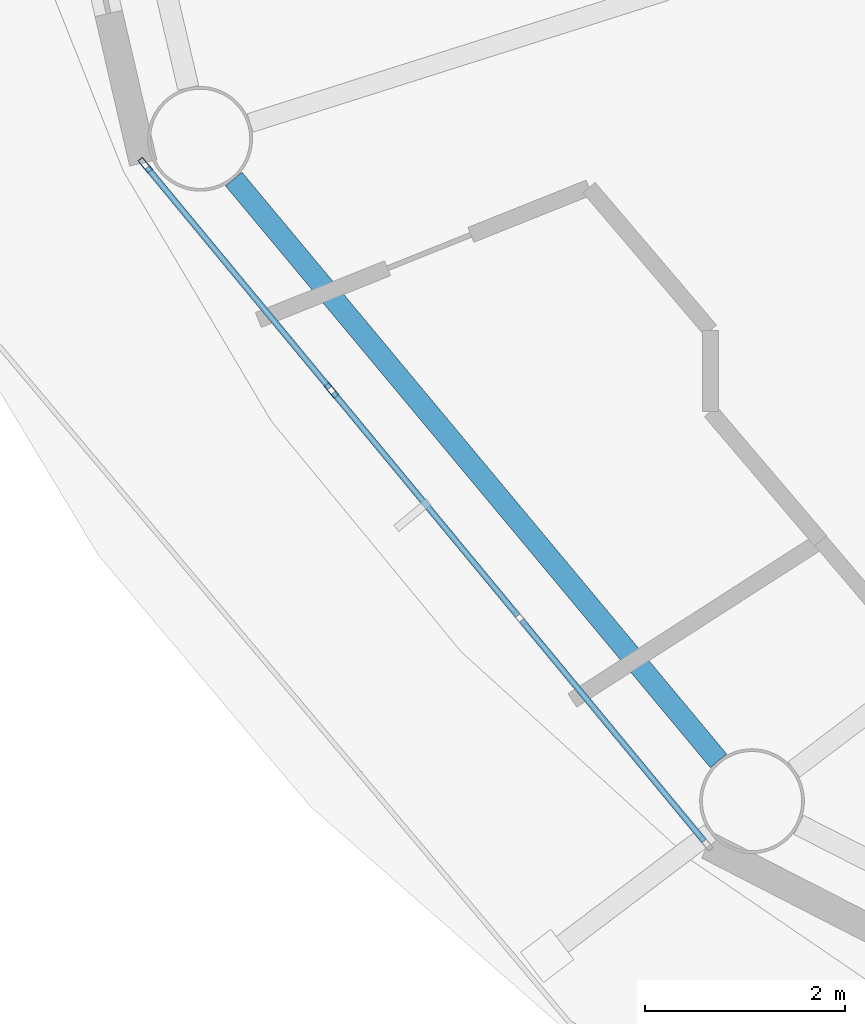
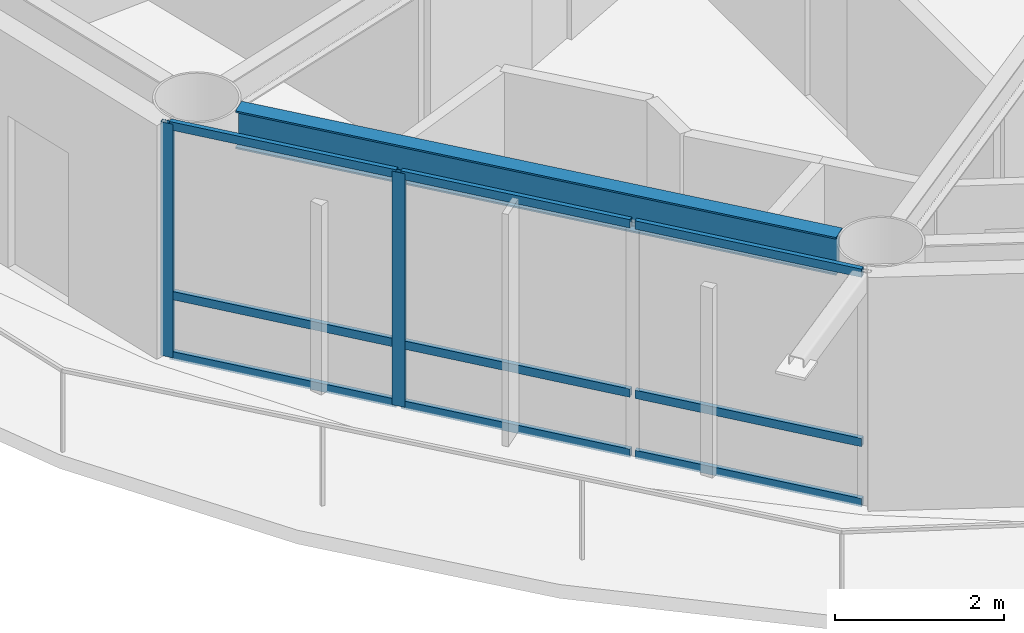
# One storey, part 3 of 29: 11 members, 1 beam, 1 element without a shape of its own.
"""IFC4 building model written with IfcOpenShell, lengths in metres."""

from ifc_helpers import new_model, si_unit, direction, frame, origin, origin_2d, place, context, subcontext, project, spatial, hollow_rectangle, i_section, extrude, material, layer, layer_set, material_profile, profile_set, type_object, element, aggregate, save


model = new_model("IFC4")

# Units and contexts
model_context = context("Model", 3, precision=1e-05, world=origin(), true_north=direction((0.0, 1.0)))
body_context = subcontext(model_context, "Body", "Model", "MODEL_VIEW")
ifc_project = project(units=[si_unit("LENGTHUNIT", "METRE"), si_unit("AREAUNIT", "SQUARE_METRE"), si_unit("VOLUMEUNIT", "CUBIC_METRE"), si_unit("PLANEANGLEUNIT", "RADIAN"), si_unit("MASSUNIT", "GRAM", prefix="KILO")], contexts=[model_context])

# Site, building, storey
site_placement = place(None, origin())
site = spatial("IfcSite", under=ifc_project, at=site_placement, CompositionType="ELEMENT")
building_placement = place(site_placement, origin())
building = spatial("IfcBuilding", under=site, at=building_placement, Name="Sarneth Arch Tower", CompositionType="ELEMENT")
storey_placement = place(building_placement, frame((0.0, 0.0, 165.0)))
storey = spatial("IfcBuildingStorey", under=building, at=storey_placement, Name="L41", CompositionType="ELEMENT", Elevation=165.0)

# Beam
ifc_material_1 = material(Name="Steel S355", Category="steel")
ifc_material_profile_1 = material_profile(ifc_material_1, i_section(OverallWidth=0.214111328125, OverallDepth=0.549072265625, WebThickness=0.0146484375, FlangeThickness=0.023681640625, FilletRadius=0.01806640625, at=origin_2d()), Name="W530x138")
ifc_profile_set_1 = profile_set([ifc_material_profile_1], Name="Steel S355")
beam_type = type_object("IfcBeamType", Name="BM-RAD-530A", PredefinedType="BEAM", material=ifc_profile_set_1)
beam_placement = place(storey_placement, frame((23.673828125, 33.770751953125, 3.10546875), z_axis=(0.640171737024, -0.768231831621, 0.0), x_axis=(0.768231831621, 0.640171737024, 0.0)))
element("IfcBeam", 1, at=beam_placement, inside=storey, type_object=beam_type, Name="L41 Perimeter spandrel beam 10", PredefinedType="BEAM", context=body_context, shape_type="SweptSolid", body=[
    extrude(i_section(OverallWidth=0.214111328125, OverallDepth=0.549072265625, WebThickness=0.0146484375, FlangeThickness=0.023681640625, FilletRadius=0.01806640625, at=origin_2d()), origin(), (0.0, 0.0, 1.0), 7.585693359375),
])

# Curtain wall, members
ifc_material_2 = material(Name="Anodised aluminium Type AA25 and solar-control low-e laminated IGU", Category="aluminium")
ifc_layer = layer(ifc_material_2, 0.169921875)
ifc_layer_set = layer_set([ifc_layer], Name="Anodised aluminium Type AA25 and solar-control low-e laminated IGU")
curtain_wall_type = type_object("IfcCurtainWallType", Name="CW-RES-MID", PredefinedType="NOTDEFINED", material=ifc_layer_set)
curtain_wall_placement = place(storey_placement, origin())
curtain_wall = element("IfcCurtainWall", 2, at=curtain_wall_placement, inside=storey, type_object=curtain_wall_type, Name="L41 Unitised curtain wall facet 10", PredefinedType="NOTDEFINED")
ifc_material_3 = material(Name="Anodised Aluminium 6063-T6", Category="aluminium")
ifc_material_profile_2 = material_profile(ifc_material_3, hollow_rectangle(XDim=0.06005859375, YDim=0.159912109375, WallThickness=0.00390625, at=origin_2d()), Name="AL-MULL-160x60x4")
ifc_profile_set_2 = profile_set([ifc_material_profile_2], Name="Anodised Aluminium 6063-T6")
member_type_1 = type_object("IfcMemberType", Name="CW-MULLION", PredefinedType="MULLION", material=ifc_profile_set_2)
member_1_placement = place(storey_placement, frame((22.786865234375, 33.909912109375, 0.0), z_axis=(0.0, 0.0, 1.0), x_axis=(0.770590741276, 0.637330298558, 0.0)))
member_1 = element("IfcMember", 3, at=member_1_placement, type_object=member_type_1, Name="CW-SYS-5 mullion 1", PredefinedType="MULLION", context=body_context, shape_type="SweptSolid", body=[
    extrude(hollow_rectangle(XDim=0.06005859375, YDim=0.159912109375, WallThickness=0.00390625, at=origin_2d()), origin(), (0.0, 0.0, 1.0), 3.3798828125),
])
member_2_placement = place(storey_placement, frame((24.653076171875, 31.6533203125, 0.0), z_axis=(0.0, 0.0, 1.0), x_axis=(0.770590741276, 0.637330298558, 0.0)))
member_2 = element("IfcMember", 4, at=member_2_placement, type_object=member_type_1, Name="CW-SYS-5 mullion 2", PredefinedType="MULLION", context=body_context, shape_type="SweptSolid", body=[
    extrude(hollow_rectangle(XDim=0.06005859375, YDim=0.159912109375, WallThickness=0.00390625, at=origin_2d()), origin(), (0.0, 0.0, 1.0), 3.3798828125),
])
ifc_material_4 = material(Name="Anodised Aluminium 6063-T6", Category="aluminium")
ifc_material_profile_3 = material_profile(ifc_material_4, hollow_rectangle(XDim=0.06005859375, YDim=0.1201171875, WallThickness=0.00390625, at=origin_2d()), Name="AL-TRAN-120x60x4")
ifc_profile_set_3 = profile_set([ifc_material_profile_3], Name="Anodised Aluminium 6063-T6")
member_type_2 = type_object("IfcMemberType", Name="CW-TRANSOM", PredefinedType="USERDEFINED", material=ifc_profile_set_3)
member_3_placement = place(storey_placement, frame((22.805908203125, 33.88671875, 0.030029296875), z_axis=(0.637358651504, -0.770567290607, 0.0), x_axis=(0.770567290607, 0.637358651504, 0.0)))
member_3 = element("IfcMember", 5, at=member_3_placement, type_object=member_type_2, Name="CW-SYS-5 transom 1.1", ObjectType="TRANSOM", PredefinedType="USERDEFINED", context=body_context, shape_type="SweptSolid", body=[
    extrude(hollow_rectangle(XDim=0.06005859375, YDim=0.1201171875, WallThickness=0.00390625, at=origin_2d()), origin(), (0.0, 0.0, 1.0), 2.8681640625),
])
member_4_placement = place(storey_placement, frame((22.805908203125, 33.88671875, 0.89990234375), z_axis=(0.637358651504, -0.770567290607, 0.0), x_axis=(0.770567290607, 0.637358651504, 0.0)))
member_4 = element("IfcMember", 6, at=member_4_placement, type_object=member_type_2, Name="CW-SYS-5 transom 1.2", ObjectType="TRANSOM", PredefinedType="USERDEFINED", context=body_context, shape_type="SweptSolid", body=[
    extrude(hollow_rectangle(XDim=0.06005859375, YDim=0.1201171875, WallThickness=0.00390625, at=origin_2d()), origin(), (0.0, 0.0, 1.0), 2.8681640625),
])
member_5_placement = place(storey_placement, frame((22.805908203125, 33.88671875, 3.35009765625), z_axis=(0.637358651504, -0.770567290607, 0.0), x_axis=(0.770567290607, 0.637358651504, 0.0)))
member_5 = element("IfcMember", 7, at=member_5_placement, type_object=member_type_2, Name="CW-SYS-5 transom 1.3", ObjectType="TRANSOM", PredefinedType="USERDEFINED", context=body_context, shape_type="SweptSolid", body=[
    extrude(hollow_rectangle(XDim=0.06005859375, YDim=0.1201171875, WallThickness=0.00390625, at=origin_2d()), origin(), (0.0, 0.0, 1.0), 2.8681640625),
])
member_6_placement = place(storey_placement, frame((24.672119140625, 31.63037109375, 0.030029296875), z_axis=(0.637329777791, -0.770591171985, 0.0), x_axis=(0.770591171985, 0.637329777791, 0.0)))
member_6 = element("IfcMember", 8, at=member_6_placement, type_object=member_type_2, Name="CW-SYS-5 transom 2.1", ObjectType="TRANSOM", PredefinedType="USERDEFINED", context=body_context, shape_type="SweptSolid", body=[
    extrude(hollow_rectangle(XDim=0.06005859375, YDim=0.1201171875, WallThickness=0.00390625, at=origin_2d()), origin(), (0.0, 0.0, 1.0), 2.898193359375),
])
member_7_placement = place(storey_placement, frame((24.672119140625, 31.63037109375, 0.89990234375), z_axis=(0.637329777791, -0.770591171985, 0.0), x_axis=(0.770591171985, 0.637329777791, 0.0)))
member_7 = element("IfcMember", 9, at=member_7_placement, type_object=member_type_2, Name="CW-SYS-5 transom 2.2", ObjectType="TRANSOM", PredefinedType="USERDEFINED", context=body_context, shape_type="SweptSolid", body=[
    extrude(hollow_rectangle(XDim=0.06005859375, YDim=0.1201171875, WallThickness=0.00390625, at=origin_2d()), origin(), (0.0, 0.0, 1.0), 2.898193359375),
])
member_8_placement = place(storey_placement, frame((24.672119140625, 31.63037109375, 3.35009765625), z_axis=(0.637329777791, -0.770591171985, 0.0), x_axis=(0.770591171985, 0.637329777791, 0.0)))
member_8 = element("IfcMember", 10, at=member_8_placement, type_object=member_type_2, Name="CW-SYS-5 transom 2.3", ObjectType="TRANSOM", PredefinedType="USERDEFINED", context=body_context, shape_type="SweptSolid", body=[
    extrude(hollow_rectangle(XDim=0.06005859375, YDim=0.1201171875, WallThickness=0.00390625, at=origin_2d()), origin(), (0.0, 0.0, 1.0), 2.898193359375),
])
member_9_placement = place(storey_placement, frame((26.5576171875, 29.3505859375, 0.030029296875), z_axis=(0.637358651504, -0.770567290607, 0.0), x_axis=(0.770567290607, 0.637358651504, 0.0)))
member_9 = element("IfcMember", 11, at=member_9_placement, type_object=member_type_2, Name="CW-SYS-5 transom 3.1", ObjectType="TRANSOM", PredefinedType="USERDEFINED", context=body_context, shape_type="SweptSolid", body=[
    extrude(hollow_rectangle(XDim=0.06005859375, YDim=0.1201171875, WallThickness=0.00390625, at=origin_2d()), origin(), (0.0, 0.0, 1.0), 2.8681640625),
])
member_10_placement = place(storey_placement, frame((26.5576171875, 29.3505859375, 0.89990234375), z_axis=(0.637358651504, -0.770567290607, 0.0), x_axis=(0.770567290607, 0.637358651504, 0.0)))
member_10 = element("IfcMember", 12, at=member_10_placement, type_object=member_type_2, Name="CW-SYS-5 transom 3.2", ObjectType="TRANSOM", PredefinedType="USERDEFINED", context=body_context, shape_type="SweptSolid", body=[
    extrude(hollow_rectangle(XDim=0.06005859375, YDim=0.1201171875, WallThickness=0.00390625, at=origin_2d()), origin(), (0.0, 0.0, 1.0), 2.8681640625),
])
member_11_placement = place(storey_placement, frame((26.5576171875, 29.3505859375, 3.35009765625), z_axis=(0.637358651504, -0.770567290607, 0.0), x_axis=(0.770567290607, 0.637358651504, 0.0)))
member_11 = element("IfcMember", 13, at=member_11_placement, type_object=member_type_2, Name="CW-SYS-5 transom 3.3", ObjectType="TRANSOM", PredefinedType="USERDEFINED", context=body_context, shape_type="SweptSolid", body=[
    extrude(hollow_rectangle(XDim=0.06005859375, YDim=0.1201171875, WallThickness=0.00390625, at=origin_2d()), origin(), (0.0, 0.0, 1.0), 2.8681640625),
])
aggregate(curtain_wall, [member_1, member_2, member_3, member_4, member_5, member_6, member_7, member_8, member_9, member_10, member_11])

save(model, "model.ifc")
